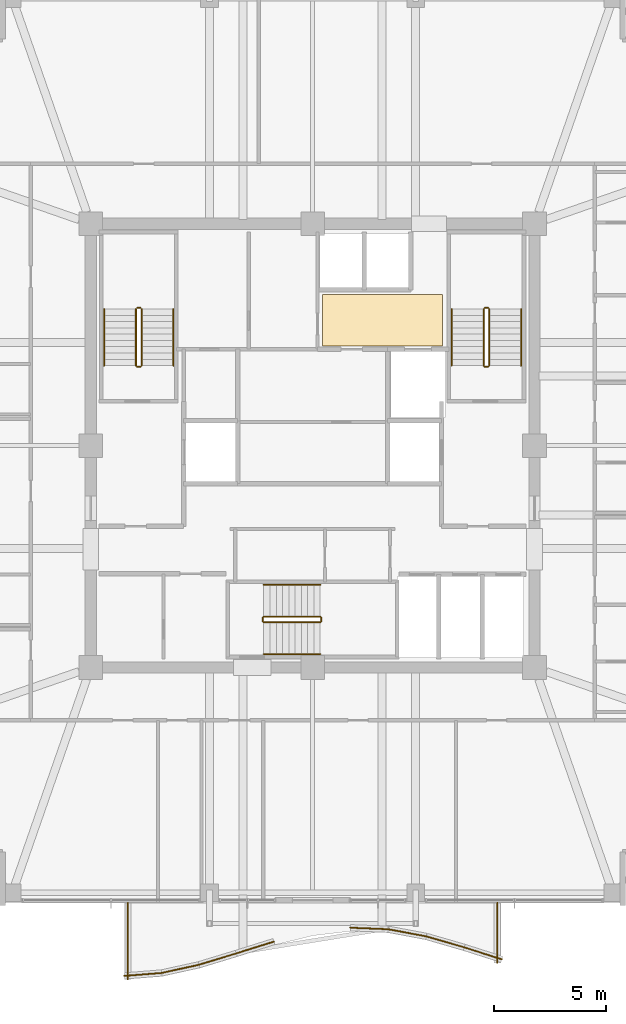
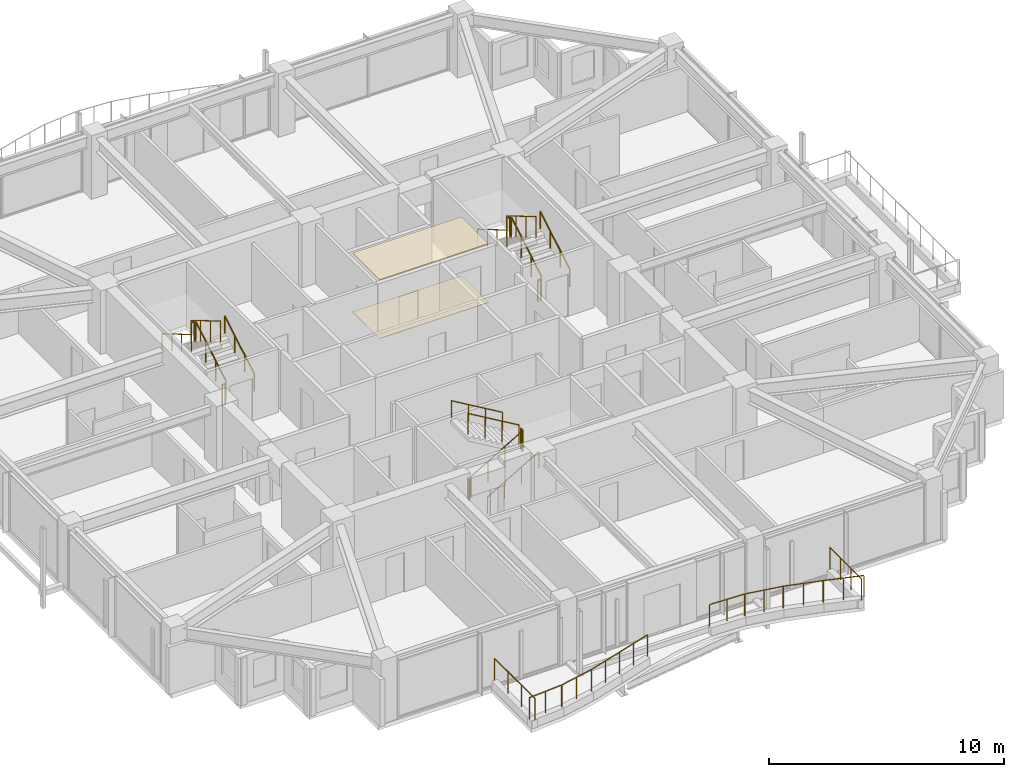
# One storey, part 37 of 38: 28 railings, 2 coverings.
"""IFC4 building model written with IfcOpenShell, lengths in metres."""

from ifc_helpers import new_model, si_unit, direction, frame, origin, origin_2d, place, context, subcontext, project, spatial, polyline, circle, outline, extrude, material, layer, layer_set, type_object, element, save


model = new_model("IFC4")

# Units and contexts
model_context = context("Model", 3, precision=1e-05, world=origin(), true_north=direction((0.0, 1.0)))
body_context = subcontext(model_context, "Body", "Model", "MODEL_VIEW")
ifc_project = project(units=[si_unit("LENGTHUNIT", "METRE"), si_unit("AREAUNIT", "SQUARE_METRE"), si_unit("VOLUMEUNIT", "CUBIC_METRE"), si_unit("PLANEANGLEUNIT", "RADIAN"), si_unit("MASSUNIT", "GRAM", prefix="KILO")], contexts=[model_context])

# Site, building, storey
site_placement = place(None, origin())
site = spatial("IfcSite", under=ifc_project, at=site_placement, CompositionType="ELEMENT")
building_placement = place(site_placement, origin())
building = spatial("IfcBuilding", under=site, at=building_placement, Name="Kolvaren Belvedere", CompositionType="ELEMENT")
storey_placement = place(building_placement, frame((0.0, 0.0, 206.39990234375)))
storey = spatial("IfcBuildingStorey", under=building, at=storey_placement, Name="L60", CompositionType="ELEMENT", Elevation=206.39990234375)

# Coverings
ifc_material_1 = material(Name="Acoustic perforated gypsum board", Category="gypsum")
ifc_layer_1 = layer(ifc_material_1, 0.02490234375)
ifc_layer_set_1 = layer_set([ifc_layer_1], Name="Acoustic perforated gypsum board")
covering_type_1 = type_object("IfcCoveringType", Name="COV-CEIL-GYP", PredefinedType="CEILING", material=ifc_layer_set_1)
covering_1_placement = place(storey_placement, frame((0.0, 0.0, 3.05517578125)))
element("IfcCovering", 1, at=covering_1_placement, inside=storey, type_object=covering_type_1, Name="L60 Lift Lobby Acoustic Baffle Ceiling", PredefinedType="CEILING", context=body_context, shape_type="SweptSolid", body=[
    extrude(outline(polyline([(0.449951171875, 4.449951171875), (5.800048828125, 4.449951171875), (5.800048828125, 6.75), (0.449951171875, 6.75), (0.449951171875, 4.449951171875)])), origin(), (0.0, 0.0, 1.0), 0.02490234375),
])
ifc_material_2 = material(Name="Engineered Pacific white oak", Category="timber")
ifc_layer_2 = layer(ifc_material_2, 0.02001953125)
ifc_layer_set_2 = layer_set([ifc_layer_2], Name="Engineered Pacific white oak")
covering_type_2 = type_object("IfcCoveringType", Name="COV-FLR-OAK", PredefinedType="FLOORING", material=ifc_layer_set_2)
covering_2_placement = place(storey_placement, origin())
element("IfcCovering", 2, at=covering_2_placement, inside=storey, type_object=covering_type_2, Name="L60 Lift Lobby Finish Flooring", PredefinedType="FLOORING", context=body_context, shape_type="SweptSolid", body=[
    extrude(outline(polyline([(0.449951171875, 4.449951171875), (5.800048828125, 4.449951171875), (5.800048828125, 6.75), (0.449951171875, 6.75), (0.449951171875, 4.449951171875)])), origin(), (0.0, 0.0, 1.0), 0.02001953125),
])

# Railings
ifc_material_3 = material(Name="Anodised pale-metal aluminium & laminated glass guard", Category="aluminium")
railing_type_1 = type_object("IfcRailingType", Name="RL-GUARD-1150", PredefinedType="GUARDRAIL", material=ifc_material_3)
railing_1_placement = place(storey_placement, frame((-8.41259765625, -23.660400390625, 0.380126953125)))
element("IfcRailing", 3, at=railing_1_placement, inside=storey, type_object=railing_type_1, Name="L60 Exterior Deck Safety Guard BAL-S-1", PredefinedType="GUARDRAIL", context=body_context, shape_type="SweptSolid", body=[
    extrude(circle(Radius=0.02392578125, at=origin_2d()), frame((0.0, 0.0, 1.1259765625), z_axis=(0.99685522818, 0.079244268248, 0.0), x_axis=(-0.079244268248, 0.99685522818, 0.0)), (0.0, 0.0, 1.0), 1.685302734375),
    extrude(circle(Radius=0.02099609375, at=origin_2d()), origin(), (0.0, 0.0, 1.0), 1.101806640625),
    extrude(circle(Radius=0.02099609375, at=origin_2d()), frame((0.83984375, 0.06689453125, 0.0)), (0.0, 0.0, 1.0), 1.101806640625),
    extrude(circle(Radius=0.02099609375, at=origin_2d()), frame((1.679931640625, 0.133544921875, 0.0)), (0.0, 0.0, 1.0), 1.101806640625),
])
railing_2_placement = place(storey_placement, frame((-6.754150390625, -23.530029296875, 0.380126953125)))
element("IfcRailing", 4, at=railing_2_placement, inside=storey, type_object=railing_type_1, Name="L60 Exterior Deck Safety Guard BAL-S-2", PredefinedType="GUARDRAIL", context=body_context, shape_type="SweptSolid", body=[
    extrude(circle(Radius=0.02392578125, at=origin_2d()), frame((0.0, 0.0, 1.1259765625), z_axis=(0.976876857632, 0.213802724545, 0.0), x_axis=(-0.213802724545, 0.976876857632, 0.0)), (0.0, 0.0, 1.0), 1.7197265625),
    extrude(circle(Radius=0.02099609375, at=origin_2d()), origin(), (0.0, 0.0, 1.0), 1.101806640625),
    extrude(circle(Radius=0.02099609375, at=origin_2d()), frame((0.83984375, 0.183837890625, 0.0)), (0.0, 0.0, 1.0), 1.101806640625),
    extrude(circle(Radius=0.02099609375, at=origin_2d()), frame((1.679931640625, 0.36767578125, 0.0)), (0.0, 0.0, 1.0), 1.101806640625),
])
railing_3_placement = place(storey_placement, frame((-5.086669921875, -23.16552734375, 0.380126953125)))
element("IfcRailing", 5, at=railing_3_placement, inside=storey, type_object=railing_type_1, Name="L60 Exterior Deck Safety Guard BAL-S-3", PredefinedType="GUARDRAIL", context=body_context, shape_type="SweptSolid", body=[
    extrude(circle(Radius=0.02392578125, at=origin_2d()), frame((0.0, 0.0, 1.1259765625), z_axis=(0.956771481005, 0.290840734999, 0.0), x_axis=(-0.290840734999, 0.956771481005, 0.0)), (0.0, 0.0, 1.0), 1.756103515625),
    extrude(circle(Radius=0.02099609375, at=origin_2d()), origin(), (0.0, 0.0, 1.0), 1.101806640625),
    extrude(circle(Radius=0.02099609375, at=origin_2d()), frame((0.840087890625, 0.25537109375, 0.0)), (0.0, 0.0, 1.0), 1.101806640625),
    extrude(circle(Radius=0.02099609375, at=origin_2d()), frame((1.68017578125, 0.5107421875, 0.0)), (0.0, 0.0, 1.0), 1.101806640625),
])
railing_4_placement = place(storey_placement, frame((-3.407958984375, -22.6552734375, 0.380126953125)))
element("IfcRailing", 6, at=railing_4_placement, inside=storey, type_object=railing_type_1, Name="L60 Exterior Deck Safety Guard BAL-S-4", PredefinedType="GUARDRAIL", context=body_context, shape_type="SweptSolid", body=[
    extrude(circle(Radius=0.02392578125, at=origin_2d()), frame((0.0, 0.0, 1.1259765625), z_axis=(0.954069594374, 0.299585061529, 0.0), x_axis=(-0.299585061529, 0.954069594374, 0.0)), (0.0, 0.0, 1.0), 1.760986328125),
    extrude(circle(Radius=0.02099609375, at=origin_2d()), origin(), (0.0, 0.0, 1.0), 1.101806640625),
    extrude(circle(Radius=0.02099609375, at=origin_2d()), frame((0.840087890625, 0.263671875, 0.0)), (0.0, 0.0, 1.0), 1.101806640625),
    extrude(circle(Radius=0.02099609375, at=origin_2d()), frame((1.68017578125, 0.527587890625, 0.0)), (0.0, 0.0, 1.0), 1.101806640625),
])
railing_5_placement = place(storey_placement, frame((1.686279296875, -21.508544921875, 0.380126953125)))
element("IfcRailing", 7, at=railing_5_placement, inside=storey, type_object=railing_type_1, Name="L60 Exterior Deck Safety Guard BAL-S-7", PredefinedType="GUARDRAIL", context=body_context, shape_type="SweptSolid", body=[
    extrude(circle(Radius=0.02392578125, at=origin_2d()), frame((0.0, 0.0, 1.1259765625), z_axis=(0.999196778482, -0.040072407855, 0.0), x_axis=(0.040072407855, 0.999196778482, 0.0)), (0.0, 0.0, 1.0), 1.681640625),
    extrude(circle(Radius=0.02099609375, at=origin_2d()), origin(), (0.0, 0.0, 1.0), 1.101806640625),
    extrude(circle(Radius=0.02099609375, at=origin_2d()), frame((0.840087890625, -0.03369140625, 0.0)), (0.0, 0.0, 1.0), 1.101806640625),
    extrude(circle(Radius=0.02099609375, at=origin_2d()), frame((1.68017578125, -0.0673828125, 0.0)), (0.0, 0.0, 1.0), 1.101806640625),
])
railing_6_placement = place(storey_placement, frame((3.3896484375, -21.57861328125, 0.380126953125)))
element("IfcRailing", 8, at=railing_6_placement, inside=storey, type_object=railing_type_1, Name="L60 Exterior Deck Safety Guard BAL-S-8", PredefinedType="GUARDRAIL", context=body_context, shape_type="SweptSolid", body=[
    extrude(circle(Radius=0.02392578125, at=origin_2d()), frame((0.0, 0.0, 1.1259765625), z_axis=(0.982799348901, -0.18467658162, 0.0), x_axis=(0.18467658162, 0.982799348901, 0.0)), (0.0, 0.0, 1.0), 1.709228515625),
    extrude(circle(Radius=0.02099609375, at=origin_2d()), origin(), (0.0, 0.0, 1.0), 1.101806640625),
    extrude(circle(Radius=0.02099609375, at=origin_2d()), frame((0.83984375, -0.15771484375, 0.0)), (0.0, 0.0, 1.0), 1.101806640625),
    extrude(circle(Radius=0.02099609375, at=origin_2d()), frame((1.679931640625, -0.315673828125, 0.0)), (0.0, 0.0, 1.0), 1.101806640625),
])
railing_7_placement = place(storey_placement, frame((5.08447265625, -21.89794921875, 0.380126953125)))
element("IfcRailing", 9, at=railing_7_placement, inside=storey, type_object=railing_type_1, Name="L60 Exterior Deck Safety Guard BAL-S-9", PredefinedType="GUARDRAIL", context=body_context, shape_type="SweptSolid", body=[
    extrude(circle(Radius=0.02392578125, at=origin_2d()), frame((0.0, 0.0, 1.1259765625), z_axis=(0.960633903819, -0.277817391164, 0.0), x_axis=(0.277817391164, 0.960633903819, 0.0)), (0.0, 0.0, 1.0), 1.748779296875),
    extrude(circle(Radius=0.02099609375, at=origin_2d()), origin(), (0.0, 0.0, 1.0), 1.101806640625),
    extrude(circle(Radius=0.02099609375, at=origin_2d()), frame((0.83984375, -0.242919921875, 0.0)), (0.0, 0.0, 1.0), 1.101806640625),
    extrude(circle(Radius=0.02099609375, at=origin_2d()), frame((1.679931640625, -0.48583984375, 0.0)), (0.0, 0.0, 1.0), 1.101806640625),
])
railing_8_placement = place(storey_placement, frame((6.7685546875, -22.38525390625, 0.380126953125)))
element("IfcRailing", 10, at=railing_8_placement, inside=storey, type_object=railing_type_1, Name="L60 Exterior Deck Safety Guard BAL-S-10", PredefinedType="GUARDRAIL", context=body_context, shape_type="SweptSolid", body=[
    extrude(circle(Radius=0.02392578125, at=origin_2d()), frame((0.0, 0.0, 1.1259765625), z_axis=(0.952661770826, -0.304032153573, 0.0), x_axis=(0.304032153573, 0.952661770826, 0.0)), (0.0, 0.0, 1.0), 1.763427734375),
    extrude(circle(Radius=0.02099609375, at=origin_2d()), origin(), (0.0, 0.0, 1.0), 1.101806640625),
    extrude(circle(Radius=0.02099609375, at=origin_2d()), frame((0.83984375, -0.26806640625, 0.0)), (0.0, 0.0, 1.0), 1.101806640625),
    extrude(circle(Radius=0.02099609375, at=origin_2d()), frame((1.679931640625, -0.5361328125, 0.0)), (0.0, 0.0, 1.0), 1.101806640625),
])
railing_9_placement = place(storey_placement, frame((8.239990234375, -23.07373046875, 0.380126953125)))
element("IfcRailing", 11, at=railing_9_placement, inside=storey, type_object=railing_type_1, Name="L60 Exterior Deck Safety Guard BAL-S-11", PredefinedType="GUARDRAIL", context=body_context, shape_type="SweptSolid", body=[
    extrude(circle(Radius=0.02392578125, at=origin_2d()), frame((0.0, 0.0, 1.1259765625), z_axis=(0.0, 1.0, 0.0), x_axis=(-1.0, 0.0, 0.0)), (0.0, 0.0, 1.0), 2.673828125),
    extrude(circle(Radius=0.02099609375, at=origin_2d()), origin(), (0.0, 0.0, 1.0), 1.101806640625),
    extrude(circle(Radius=0.02099609375, at=origin_2d()), frame((0.0, 0.891357421875, 0.0)), (0.0, 0.0, 1.0), 1.101806640625),
    extrude(circle(Radius=0.02099609375, at=origin_2d()), frame((0.0, 1.782470703125, 0.0)), (0.0, 0.0, 1.0), 1.101806640625),
    extrude(circle(Radius=0.02099609375, at=origin_2d()), frame((0.0, 2.673828125, 0.0)), (0.0, 0.0, 1.0), 1.101806640625),
])
railing_10_placement = place(storey_placement, frame((-8.239990234375, -20.39990234375, 0.380126953125)))
element("IfcRailing", 12, at=railing_10_placement, inside=storey, type_object=railing_type_1, Name="L60 Exterior Deck Safety Guard BAL-S-22", PredefinedType="GUARDRAIL", context=body_context, shape_type="SweptSolid", body=[
    extrude(circle(Radius=0.02392578125, at=origin_2d()), frame((0.0, 0.0, 1.1259765625), z_axis=(0.0, -1.0, 0.0), x_axis=(1.0, 0.0, 0.0)), (0.0, 0.0, 1.0), 3.420166015625),
    extrude(circle(Radius=0.02099609375, at=origin_2d()), origin(), (0.0, 0.0, 1.0), 1.101806640625),
    extrude(circle(Radius=0.02099609375, at=origin_2d()), frame((0.0, -1.14013671875, 0.0)), (0.0, 0.0, 1.0), 1.101806640625),
    extrude(circle(Radius=0.02099609375, at=origin_2d()), frame((0.0, -2.280029296875, 0.0)), (0.0, 0.0, 1.0), 1.101806640625),
    extrude(circle(Radius=0.02099609375, at=origin_2d()), frame((0.0, -3.420166015625, 0.0)), (0.0, 0.0, 1.0), 1.101806640625),
])
ifc_material_4 = material(Name="Brushed stainless-steel handrail", Category="steel")
railing_type_2 = type_object("IfcRailingType", Name="RL-HANDRAIL-920", PredefinedType="HANDRAIL", material=ifc_material_4)
railing_11_placement = place(storey_placement, frame((-6.2099609375, 3.570068359375, 0.1650390625)))
element("IfcRailing", 13, at=railing_11_placement, inside=storey, type_object=railing_type_2, Name="L60 ST-1 stair handrail 1", PredefinedType="HANDRAIL", context=body_context, shape_type="SweptSolid", body=[
    extrude(circle(Radius=0.02392578125, at=origin_2d()), frame((0.0, 0.0, 0.8759765625), z_axis=(0.0, 0.86152411907, 0.507716645641), x_axis=(-1.0, 0.0, 0.0)), (0.0, 0.0, 1.0), 2.925048828125),
    extrude(circle(Radius=0.02099609375, at=origin_2d()), origin(), (0.0, 0.0, 1.0), 0.851806640625),
    extrude(circle(Radius=0.02099609375, at=origin_2d()), frame((0.0, 0.840087890625, 0.4951171875)), (0.0, 0.0, 1.0), 0.851806640625),
    extrude(circle(Radius=0.02099609375, at=origin_2d()), frame((0.0, 1.679931640625, 0.989990234375)), (0.0, 0.0, 1.0), 0.851806640625),
    extrude(circle(Radius=0.02099609375, at=origin_2d()), frame((0.0, 2.52001953125, 1.485107421875)), (0.0, 0.0, 1.0), 0.851806640625),
])
railing_12_placement = place(storey_placement, frame((-9.300048828125, 6.090087890625, 1.815185546875)))
element("IfcRailing", 14, at=railing_12_placement, inside=storey, type_object=railing_type_2, Name="L60 ST-1 stair handrail 2", PredefinedType="HANDRAIL", context=body_context, shape_type="SweptSolid", body=[
    extrude(circle(Radius=0.02392578125, at=origin_2d()), frame((0.0, 0.0, 0.8759765625), z_axis=(0.0, -0.861560626758, 0.507654692109), x_axis=(1.0, 0.0, 0.0)), (0.0, 0.0, 1.0), 2.925048828125),
    extrude(circle(Radius=0.02099609375, at=origin_2d()), origin(), (0.0, 0.0, 1.0), 0.851806640625),
    extrude(circle(Radius=0.02099609375, at=origin_2d()), frame((0.0, -0.840087890625, 0.494873046875)), (0.0, 0.0, 1.0), 0.851806640625),
    extrude(circle(Radius=0.02099609375, at=origin_2d()), frame((0.0, -1.679931640625, 0.989990234375)), (0.0, 0.0, 1.0), 0.851806640625),
    extrude(circle(Radius=0.02099609375, at=origin_2d()), frame((0.0, -2.52001953125, 1.48486328125)), (0.0, 0.0, 1.0), 0.851806640625),
])
railing_13_placement = place(storey_placement, frame((9.300048828125, 3.570068359375, 0.1650390625)))
element("IfcRailing", 15, at=railing_13_placement, inside=storey, type_object=railing_type_2, Name="L60 ST-2 stair handrail 1", PredefinedType="HANDRAIL", context=body_context, shape_type="SweptSolid", body=[
    extrude(circle(Radius=0.02392578125, at=origin_2d()), frame((0.0, 0.0, 0.8759765625), z_axis=(0.0, 0.86152411907, 0.507716645641), x_axis=(-1.0, 0.0, 0.0)), (0.0, 0.0, 1.0), 2.925048828125),
    extrude(circle(Radius=0.02099609375, at=origin_2d()), origin(), (0.0, 0.0, 1.0), 0.851806640625),
    extrude(circle(Radius=0.02099609375, at=origin_2d()), frame((0.0, 0.840087890625, 0.4951171875)), (0.0, 0.0, 1.0), 0.851806640625),
    extrude(circle(Radius=0.02099609375, at=origin_2d()), frame((0.0, 1.679931640625, 0.989990234375)), (0.0, 0.0, 1.0), 0.851806640625),
    extrude(circle(Radius=0.02099609375, at=origin_2d()), frame((0.0, 2.52001953125, 1.485107421875)), (0.0, 0.0, 1.0), 0.851806640625),
])
railing_14_placement = place(storey_placement, frame((6.2099609375, 6.090087890625, 1.815185546875)))
element("IfcRailing", 16, at=railing_14_placement, inside=storey, type_object=railing_type_2, Name="L60 ST-2 stair handrail 2", PredefinedType="HANDRAIL", context=body_context, shape_type="SweptSolid", body=[
    extrude(circle(Radius=0.02392578125, at=origin_2d()), frame((0.0, 0.0, 0.8759765625), z_axis=(0.0, -0.861560626758, 0.507654692109), x_axis=(1.0, 0.0, 0.0)), (0.0, 0.0, 1.0), 2.925048828125),
    extrude(circle(Radius=0.02099609375, at=origin_2d()), origin(), (0.0, 0.0, 1.0), 0.851806640625),
    extrude(circle(Radius=0.02099609375, at=origin_2d()), frame((0.0, -0.840087890625, 0.494873046875)), (0.0, 0.0, 1.0), 0.851806640625),
    extrude(circle(Radius=0.02099609375, at=origin_2d()), frame((0.0, -1.679931640625, 0.989990234375)), (0.0, 0.0, 1.0), 0.851806640625),
    extrude(circle(Radius=0.02099609375, at=origin_2d()), frame((0.0, -2.52001953125, 1.48486328125)), (0.0, 0.0, 1.0), 0.851806640625),
])
railing_15_placement = place(storey_placement, frame((-2.179931640625, -9.300048828125, 0.1650390625)))
element("IfcRailing", 17, at=railing_15_placement, inside=storey, type_object=railing_type_2, Name="L60 ST-3 stair handrail 1", PredefinedType="HANDRAIL", context=body_context, shape_type="SweptSolid", body=[
    extrude(circle(Radius=0.02392578125, at=origin_2d()), frame((0.0, 0.0, 0.8759765625), z_axis=(0.86152411907, 0.0, 0.507716645641), x_axis=(0.0, 1.0, 0.0)), (0.0, 0.0, 1.0), 2.925048828125),
    extrude(circle(Radius=0.02099609375, at=origin_2d()), origin(), (0.0, 0.0, 1.0), 0.851806640625),
    extrude(circle(Radius=0.02099609375, at=origin_2d()), frame((0.840087890625, 0.0, 0.4951171875)), (0.0, 0.0, 1.0), 0.851806640625),
    extrude(circle(Radius=0.02099609375, at=origin_2d()), frame((1.679931640625, 0.0, 0.989990234375)), (0.0, 0.0, 1.0), 0.851806640625),
    extrude(circle(Radius=0.02099609375, at=origin_2d()), frame((2.52001953125, 0.0, 1.485107421875)), (0.0, 0.0, 1.0), 0.851806640625),
])
railing_16_placement = place(storey_placement, frame((0.340087890625, -6.2099609375, 1.815185546875)))
element("IfcRailing", 18, at=railing_16_placement, inside=storey, type_object=railing_type_2, Name="L60 ST-3 stair handrail 2", PredefinedType="HANDRAIL", context=body_context, shape_type="SweptSolid", body=[
    extrude(circle(Radius=0.02392578125, at=origin_2d()), frame((0.0, 0.0, 0.8759765625), z_axis=(-0.861560626758, 0.0, 0.507654692109), x_axis=(0.0, -1.0, 0.0)), (0.0, 0.0, 1.0), 2.925048828125),
    extrude(circle(Radius=0.02099609375, at=origin_2d()), origin(), (0.0, 0.0, 1.0), 0.851806640625),
    extrude(circle(Radius=0.02099609375, at=origin_2d()), frame((-0.840087890625, 0.0, 0.494873046875)), (0.0, 0.0, 1.0), 0.851806640625),
    extrude(circle(Radius=0.02099609375, at=origin_2d()), frame((-1.679931640625, 0.0, 0.989990234375)), (0.0, 0.0, 1.0), 0.851806640625),
    extrude(circle(Radius=0.02099609375, at=origin_2d()), frame((-2.52001953125, 0.0, 1.48486328125)), (0.0, 0.0, 1.0), 0.851806640625),
])
ifc_material_5 = material(Name="Painted tubular steel stair guard", Category="steel")
railing_type_3 = type_object("IfcRailingType", Name="RL-STGUARD-1100", PredefinedType="GUARDRAIL", material=ifc_material_5)
railing_17_placement = place(storey_placement, frame((-7.6298828125, 3.570068359375, 0.1650390625)))
element("IfcRailing", 19, at=railing_17_placement, inside=storey, type_object=railing_type_3, Name="L60 ST-1 stair guard 1", PredefinedType="GUARDRAIL", context=body_context, shape_type="SweptSolid", body=[
    extrude(circle(Radius=0.02392578125, at=origin_2d()), frame((0.0, 0.0, 1.076171875), z_axis=(0.0, 0.86152411907, 0.507716645641), x_axis=(-1.0, 0.0, 0.0)), (0.0, 0.0, 1.0), 2.925048828125),
    extrude(circle(Radius=0.02099609375, at=origin_2d()), origin(), (0.0, 0.0, 1.0), 1.052001953125),
    extrude(circle(Radius=0.02099609375, at=origin_2d()), frame((0.0, 0.840087890625, 0.4951171875)), (0.0, 0.0, 1.0), 1.052001953125),
    extrude(circle(Radius=0.02099609375, at=origin_2d()), frame((0.0, 1.679931640625, 0.989990234375)), (0.0, 0.0, 1.0), 1.052001953125),
    extrude(circle(Radius=0.02099609375, at=origin_2d()), frame((0.0, 2.52001953125, 1.485107421875)), (0.0, 0.0, 1.0), 1.052001953125),
])
railing_18_placement = place(storey_placement, frame((-7.679931640625, 6.139892578125, 1.650146484375)))
element("IfcRailing", 20, at=railing_18_placement, inside=storey, type_object=railing_type_3, Name="L60 ST-1 stair guard 2", PredefinedType="GUARDRAIL", context=body_context, shape_type="SweptSolid", body=[
    extrude(circle(Radius=0.02392578125, at=origin_2d()), frame((0.0, 0.0, 1.076171875), z_axis=(-1.0, 0.0, 0.0), x_axis=(0.0, -1.0, 0.0)), (0.0, 0.0, 1.0), 0.150146484375),
    extrude(circle(Radius=0.02099609375, at=origin_2d()), origin(), (0.0, 0.0, 1.0), 1.052001953125),
    extrude(circle(Radius=0.02099609375, at=origin_2d()), frame((-0.150146484375, 0.0, 0.0)), (0.0, 0.0, 1.0), 1.052001953125),
])
railing_19_placement = place(storey_placement, frame((-7.8798828125, 6.090087890625, 1.815185546875)))
element("IfcRailing", 21, at=railing_19_placement, inside=storey, type_object=railing_type_3, Name="L60 ST-1 stair guard 3", PredefinedType="GUARDRAIL", context=body_context, shape_type="SweptSolid", body=[
    extrude(circle(Radius=0.02392578125, at=origin_2d()), frame((0.0, 0.0, 1.076171875), z_axis=(0.0, -0.861560626758, 0.507654692109), x_axis=(1.0, 0.0, 0.0)), (0.0, 0.0, 1.0), 2.925048828125),
    extrude(circle(Radius=0.02099609375, at=origin_2d()), origin(), (0.0, 0.0, 1.0), 1.052001953125),
    extrude(circle(Radius=0.02099609375, at=origin_2d()), frame((0.0, -0.840087890625, 0.494873046875)), (0.0, 0.0, 1.0), 1.052001953125),
    extrude(circle(Radius=0.02099609375, at=origin_2d()), frame((0.0, -1.679931640625, 0.989990234375)), (0.0, 0.0, 1.0), 1.052001953125),
    extrude(circle(Radius=0.02099609375, at=origin_2d()), frame((0.0, -2.52001953125, 1.48486328125)), (0.0, 0.0, 1.0), 1.052001953125),
])
railing_20_placement = place(storey_placement, frame((-7.679931640625, 3.52001953125, 0.0)))
element("IfcRailing", 22, at=railing_20_placement, inside=storey, type_object=railing_type_3, Name="L60 ST-1 stair guard 4", PredefinedType="GUARDRAIL", context=body_context, shape_type="SweptSolid", body=[
    extrude(circle(Radius=0.02392578125, at=origin_2d()), frame((0.0, 0.0, 1.076171875), z_axis=(-1.0, 0.0, 0.0), x_axis=(0.0, -1.0, 0.0)), (0.0, 0.0, 1.0), 0.150146484375),
    extrude(circle(Radius=0.02099609375, at=origin_2d()), origin(), (0.0, 0.0, 1.0), 1.052001953125),
    extrude(circle(Radius=0.02099609375, at=origin_2d()), frame((-0.150146484375, 0.0, 0.0)), (0.0, 0.0, 1.0), 1.052001953125),
])
railing_21_placement = place(storey_placement, frame((7.8798828125, 3.570068359375, 0.1650390625)))
element("IfcRailing", 23, at=railing_21_placement, inside=storey, type_object=railing_type_3, Name="L60 ST-2 stair guard 1", PredefinedType="GUARDRAIL", context=body_context, shape_type="SweptSolid", body=[
    extrude(circle(Radius=0.02392578125, at=origin_2d()), frame((0.0, 0.0, 1.076171875), z_axis=(0.0, 0.86152411907, 0.507716645641), x_axis=(-1.0, 0.0, 0.0)), (0.0, 0.0, 1.0), 2.925048828125),
    extrude(circle(Radius=0.02099609375, at=origin_2d()), origin(), (0.0, 0.0, 1.0), 1.052001953125),
    extrude(circle(Radius=0.02099609375, at=origin_2d()), frame((0.0, 0.840087890625, 0.4951171875)), (0.0, 0.0, 1.0), 1.052001953125),
    extrude(circle(Radius=0.02099609375, at=origin_2d()), frame((0.0, 1.679931640625, 0.989990234375)), (0.0, 0.0, 1.0), 1.052001953125),
    extrude(circle(Radius=0.02099609375, at=origin_2d()), frame((0.0, 2.52001953125, 1.485107421875)), (0.0, 0.0, 1.0), 1.052001953125),
])
railing_22_placement = place(storey_placement, frame((7.830078125, 6.139892578125, 1.650146484375)))
element("IfcRailing", 24, at=railing_22_placement, inside=storey, type_object=railing_type_3, Name="L60 ST-2 stair guard 2", PredefinedType="GUARDRAIL", context=body_context, shape_type="SweptSolid", body=[
    extrude(circle(Radius=0.02392578125, at=origin_2d()), frame((0.0, 0.0, 1.076171875), z_axis=(-1.0, 0.0, 0.0), x_axis=(0.0, -1.0, 0.0)), (0.0, 0.0, 1.0), 0.150146484375),
    extrude(circle(Radius=0.02099609375, at=origin_2d()), origin(), (0.0, 0.0, 1.0), 1.052001953125),
    extrude(circle(Radius=0.02099609375, at=origin_2d()), frame((-0.150146484375, 0.0, 0.0)), (0.0, 0.0, 1.0), 1.052001953125),
])
railing_23_placement = place(storey_placement, frame((7.6298828125, 6.090087890625, 1.815185546875)))
element("IfcRailing", 25, at=railing_23_placement, inside=storey, type_object=railing_type_3, Name="L60 ST-2 stair guard 3", PredefinedType="GUARDRAIL", context=body_context, shape_type="SweptSolid", body=[
    extrude(circle(Radius=0.02392578125, at=origin_2d()), frame((0.0, 0.0, 1.076171875), z_axis=(0.0, -0.861560626758, 0.507654692109), x_axis=(1.0, 0.0, 0.0)), (0.0, 0.0, 1.0), 2.925048828125),
    extrude(circle(Radius=0.02099609375, at=origin_2d()), origin(), (0.0, 0.0, 1.0), 1.052001953125),
    extrude(circle(Radius=0.02099609375, at=origin_2d()), frame((0.0, -0.840087890625, 0.494873046875)), (0.0, 0.0, 1.0), 1.052001953125),
    extrude(circle(Radius=0.02099609375, at=origin_2d()), frame((0.0, -1.679931640625, 0.989990234375)), (0.0, 0.0, 1.0), 1.052001953125),
    extrude(circle(Radius=0.02099609375, at=origin_2d()), frame((0.0, -2.52001953125, 1.48486328125)), (0.0, 0.0, 1.0), 1.052001953125),
])
railing_24_placement = place(storey_placement, frame((7.830078125, 3.52001953125, 0.0)))
element("IfcRailing", 26, at=railing_24_placement, inside=storey, type_object=railing_type_3, Name="L60 ST-2 stair guard 4", PredefinedType="GUARDRAIL", context=body_context, shape_type="SweptSolid", body=[
    extrude(circle(Radius=0.02392578125, at=origin_2d()), frame((0.0, 0.0, 1.076171875), z_axis=(-1.0, 0.0, 0.0), x_axis=(0.0, -1.0, 0.0)), (0.0, 0.0, 1.0), 0.150146484375),
    extrude(circle(Radius=0.02099609375, at=origin_2d()), origin(), (0.0, 0.0, 1.0), 1.052001953125),
    extrude(circle(Radius=0.02099609375, at=origin_2d()), frame((-0.150146484375, 0.0, 0.0)), (0.0, 0.0, 1.0), 1.052001953125),
])
railing_25_placement = place(storey_placement, frame((-2.179931640625, -7.8798828125, 0.1650390625)))
element("IfcRailing", 27, at=railing_25_placement, inside=storey, type_object=railing_type_3, Name="L60 ST-3 stair guard 1", PredefinedType="GUARDRAIL", context=body_context, shape_type="SweptSolid", body=[
    extrude(circle(Radius=0.02392578125, at=origin_2d()), frame((0.0, 0.0, 1.076171875), z_axis=(0.86152411907, 0.0, 0.507716645641), x_axis=(0.0, 1.0, 0.0)), (0.0, 0.0, 1.0), 2.925048828125),
    extrude(circle(Radius=0.02099609375, at=origin_2d()), origin(), (0.0, 0.0, 1.0), 1.052001953125),
    extrude(circle(Radius=0.02099609375, at=origin_2d()), frame((0.840087890625, 0.0, 0.4951171875)), (0.0, 0.0, 1.0), 1.052001953125),
    extrude(circle(Radius=0.02099609375, at=origin_2d()), frame((1.679931640625, 0.0, 0.989990234375)), (0.0, 0.0, 1.0), 1.052001953125),
    extrude(circle(Radius=0.02099609375, at=origin_2d()), frame((2.52001953125, 0.0, 1.485107421875)), (0.0, 0.0, 1.0), 1.052001953125),
])
railing_26_placement = place(storey_placement, frame((0.389892578125, -7.830078125, 1.650146484375)))
element("IfcRailing", 28, at=railing_26_placement, inside=storey, type_object=railing_type_3, Name="L60 ST-3 stair guard 2", PredefinedType="GUARDRAIL", context=body_context, shape_type="SweptSolid", body=[
    extrude(circle(Radius=0.02392578125, at=origin_2d()), frame((0.0, 0.0, 1.076171875), z_axis=(0.0, 1.0, 0.0), x_axis=(-1.0, 0.0, 0.0)), (0.0, 0.0, 1.0), 0.150146484375),
    extrude(circle(Radius=0.02099609375, at=origin_2d()), origin(), (0.0, 0.0, 1.0), 1.052001953125),
    extrude(circle(Radius=0.02099609375, at=origin_2d()), frame((0.0, 0.150146484375, 0.0)), (0.0, 0.0, 1.0), 1.052001953125),
])
railing_27_placement = place(storey_placement, frame((0.340087890625, -7.6298828125, 1.815185546875)))
element("IfcRailing", 29, at=railing_27_placement, inside=storey, type_object=railing_type_3, Name="L60 ST-3 stair guard 3", PredefinedType="GUARDRAIL", context=body_context, shape_type="SweptSolid", body=[
    extrude(circle(Radius=0.02392578125, at=origin_2d()), frame((0.0, 0.0, 1.076171875), z_axis=(-0.861560626758, 0.0, 0.507654692109), x_axis=(0.0, -1.0, 0.0)), (0.0, 0.0, 1.0), 2.925048828125),
    extrude(circle(Radius=0.02099609375, at=origin_2d()), origin(), (0.0, 0.0, 1.0), 1.052001953125),
    extrude(circle(Radius=0.02099609375, at=origin_2d()), frame((-0.840087890625, 0.0, 0.494873046875)), (0.0, 0.0, 1.0), 1.052001953125),
    extrude(circle(Radius=0.02099609375, at=origin_2d()), frame((-1.679931640625, 0.0, 0.989990234375)), (0.0, 0.0, 1.0), 1.052001953125),
    extrude(circle(Radius=0.02099609375, at=origin_2d()), frame((-2.52001953125, 0.0, 1.48486328125)), (0.0, 0.0, 1.0), 1.052001953125),
])
railing_28_placement = place(storey_placement, frame((-2.22998046875, -7.830078125, 0.0)))
element("IfcRailing", 30, at=railing_28_placement, inside=storey, type_object=railing_type_3, Name="L60 ST-3 stair guard 4", PredefinedType="GUARDRAIL", context=body_context, shape_type="SweptSolid", body=[
    extrude(circle(Radius=0.02392578125, at=origin_2d()), frame((0.0, 0.0, 1.076171875), z_axis=(0.0, 1.0, 0.0), x_axis=(-1.0, 0.0, 0.0)), (0.0, 0.0, 1.0), 0.150146484375),
    extrude(circle(Radius=0.02099609375, at=origin_2d()), origin(), (0.0, 0.0, 1.0), 1.052001953125),
    extrude(circle(Radius=0.02099609375, at=origin_2d()), frame((0.0, 0.150146484375, 0.0)), (0.0, 0.0, 1.0), 1.052001953125),
])

save(model, "model.ifc")
